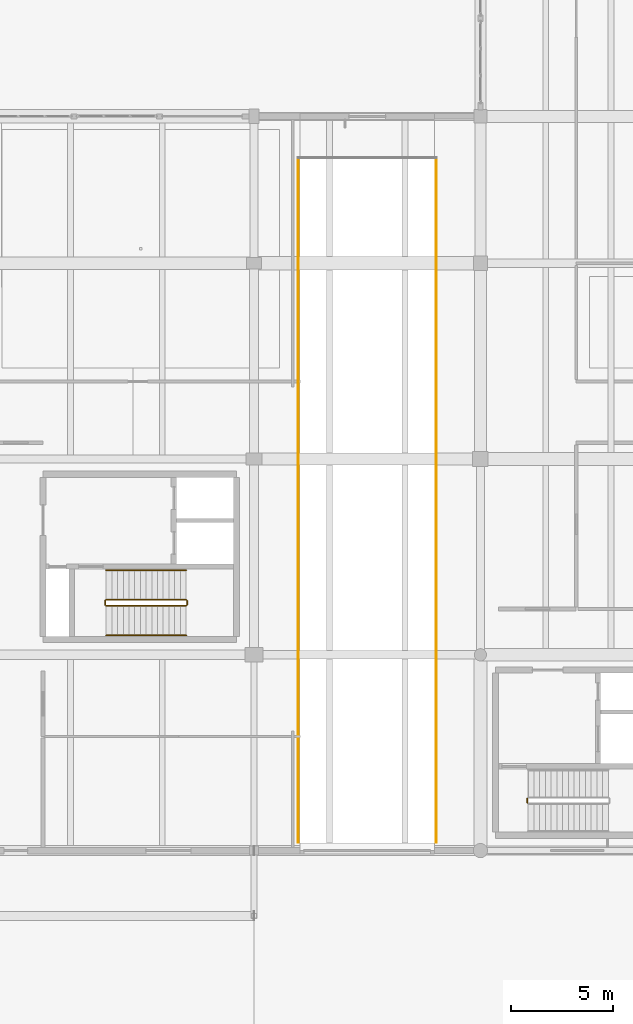
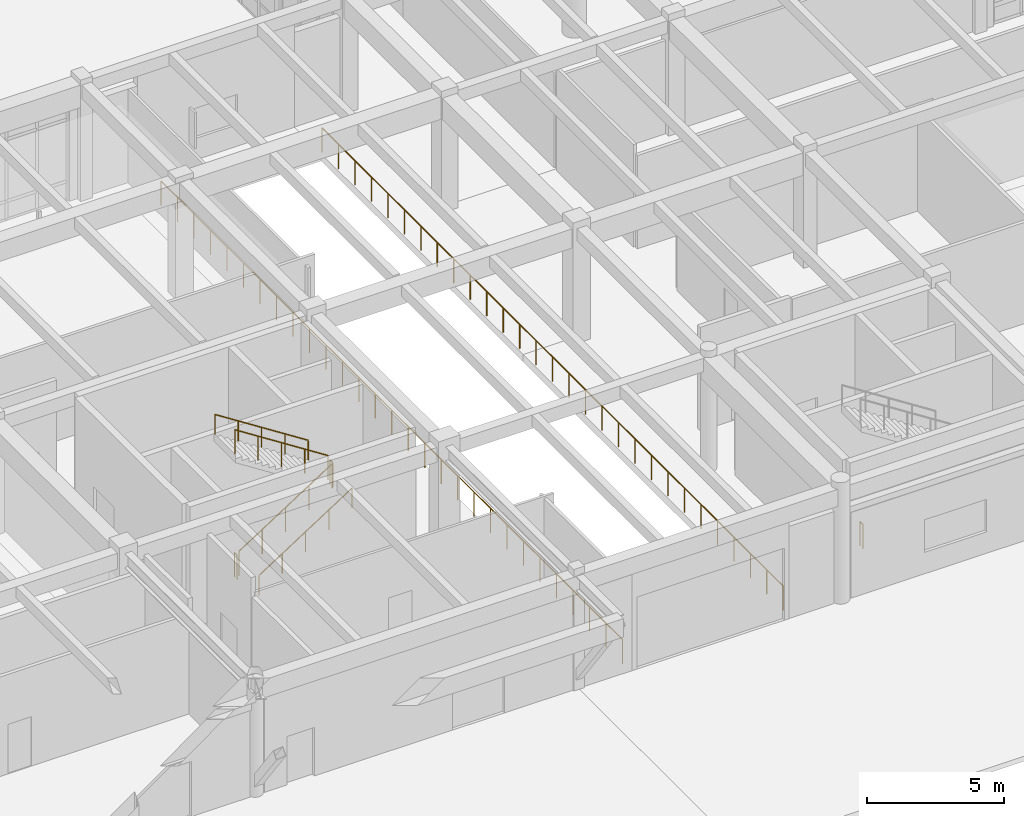
# One storey, part 128 of 138: 9 railings.
"""IFC4 building model written with IfcOpenShell, lengths in metres."""

from ifc_helpers import new_model, si_unit, direction, frame, origin, origin_2d, place, context, subcontext, project, spatial, circle, extrude, material, type_object, element, save


model = new_model("IFC4")

# Units and contexts
model_context = context("Model", 3, precision=1e-05, world=origin(), true_north=direction((0.0, 1.0)))
body_context = subcontext(model_context, "Body", "Model", "MODEL_VIEW")
ifc_project = project(units=[si_unit("LENGTHUNIT", "METRE"), si_unit("AREAUNIT", "SQUARE_METRE"), si_unit("VOLUMEUNIT", "CUBIC_METRE"), si_unit("PLANEANGLEUNIT", "RADIAN"), si_unit("MASSUNIT", "GRAM", prefix="KILO")], contexts=[model_context])

# Site, building, storey
site_placement = place(None, origin())
site = spatial("IfcSite", under=ifc_project, at=site_placement, CompositionType="ELEMENT")
building_placement = place(site_placement, origin())
building = spatial("IfcBuilding", under=site, at=building_placement, Name="Fikremerkos Civic Library", CompositionType="ELEMENT")
storey_placement = place(building_placement, origin())
storey = spatial("IfcBuildingStorey", under=building, at=storey_placement, Name="L00", CompositionType="ELEMENT", Elevation=0.0)

# Railings
ifc_material_1 = material(Name="Painted Steel S275", Category="steel")
railing_type_1 = type_object("IfcRailingType", Name="Interior balustrade guard RLG-INT 1100", PredefinedType="BALUSTRADE", material=ifc_material_1)
railing_1_placement = place(storey_placement, frame((106.449951171875, 24.0, 0.179931640625)))
element("IfcRailing", 1, at=railing_1_placement, inside=storey, type_object=railing_type_1, Name="L00 ST-K2 stair guard 1", PredefinedType="BALUSTRADE", context=body_context, shape_type="SweptSolid", body=[
    extrude(circle(Radius=0.02392578125, at=origin_2d()), frame((0.0, 0.0, 1.076171875), z_axis=(0.841186985886, 0.0, 0.540744352514), x_axis=(0.0, 1.0, 0.0)), (0.0, 0.0, 1.0), 4.660400390625),
    extrude(circle(Radius=0.02099609375, at=origin_2d()), origin(), (0.0, 0.0, 1.0), 1.052001953125),
    extrude(circle(Radius=0.02099609375, at=origin_2d()), frame((0.97998046875, 0.0, 0.6298828125)), (0.0, 0.0, 1.0), 1.052001953125),
    extrude(circle(Radius=0.02099609375, at=origin_2d()), frame((1.9599609375, 0.0, 1.260009765625)), (0.0, 0.0, 1.0), 1.052001953125),
    extrude(circle(Radius=0.02099609375, at=origin_2d()), frame((2.940185546875, 0.0, 1.89013671875)), (0.0, 0.0, 1.0), 1.052001953125),
    extrude(circle(Radius=0.02099609375, at=origin_2d()), frame((3.920166015625, 0.0, 2.52001953125)), (0.0, 0.0, 1.0), 1.052001953125),
])
railing_2_placement = place(storey_placement, frame((110.419921875, 24.050048828125, 2.699951171875)))
element("IfcRailing", 2, at=railing_2_placement, inside=storey, type_object=railing_type_1, Name="L00 ST-K2 stair guard 2", PredefinedType="BALUSTRADE", context=body_context, shape_type="SweptSolid", body=[
    extrude(circle(Radius=0.02392578125, at=origin_2d()), frame((0.0, 0.0, 1.076171875), z_axis=(0.0, 1.0, 0.0), x_axis=(-1.0, 0.0, 0.0)), (0.0, 0.0, 1.0), 0.199951171875),
    extrude(circle(Radius=0.02099609375, at=origin_2d()), origin(), (0.0, 0.0, 1.0), 1.052001953125),
    extrude(circle(Radius=0.02099609375, at=origin_2d()), frame((0.0, 0.199951171875, 0.0)), (0.0, 0.0, 1.0), 1.052001953125),
])
railing_3_placement = place(storey_placement, frame((110.3701171875, 24.300048828125, 2.8798828125)))
element("IfcRailing", 3, at=railing_3_placement, inside=storey, type_object=railing_type_1, Name="L00 ST-K2 stair guard 3", PredefinedType="BALUSTRADE", context=body_context, shape_type="SweptSolid", body=[
    extrude(circle(Radius=0.02392578125, at=origin_2d()), frame((0.0, 0.0, 1.076171875), z_axis=(-0.841186985886, 0.0, 0.540744352514), x_axis=(0.0, -1.0, 0.0)), (0.0, 0.0, 1.0), 4.660400390625),
    extrude(circle(Radius=0.02099609375, at=origin_2d()), origin(), (0.0, 0.0, 1.0), 1.052001953125),
    extrude(circle(Radius=0.02099609375, at=origin_2d()), frame((-0.97998046875, 0.0, 0.6298828125)), (0.0, 0.0, 1.0), 1.052001953125),
    extrude(circle(Radius=0.02099609375, at=origin_2d()), frame((-1.9599609375, 0.0, 1.260009765625)), (0.0, 0.0, 1.0), 1.052001953125),
    extrude(circle(Radius=0.02099609375, at=origin_2d()), frame((-2.940185546875, 0.0, 1.89013671875)), (0.0, 0.0, 1.0), 1.052001953125),
    extrude(circle(Radius=0.02099609375, at=origin_2d()), frame((-3.920166015625, 0.0, 2.52001953125)), (0.0, 0.0, 1.0), 1.052001953125),
])
for number, where, name in (
    (4, (106.39990234375, 24.050048828125, 0.0), "L00 ST-K2 stair guard 4"),
    (5, (127.10009765625, 14.35009765625, 0.0), "L00 ST-K4 stair guard 4"),
):
    element("IfcRailing", number, at=place(storey_placement, frame(where)), inside=storey, type_object=railing_type_1, Name=name, PredefinedType="BALUSTRADE", context=body_context, shape_type="SweptSolid", body=[
        extrude(circle(Radius=0.02392578125, at=origin_2d()), frame((0.0, 0.0, 1.076171875), z_axis=(0.0, 1.0, 0.0), x_axis=(-1.0, 0.0, 0.0)), (0.0, 0.0, 1.0), 0.199951171875),
        extrude(circle(Radius=0.02099609375, at=origin_2d()), origin(), (0.0, 0.0, 1.0), 1.052001953125),
        extrude(circle(Radius=0.02099609375, at=origin_2d()), frame((0.0, 0.199951171875, 0.0)), (0.0, 0.0, 1.0), 1.052001953125),
    ])
railing_4_placement = place(storey_placement, frame((115.8701171875, 12.39990234375, 0.0)))
element("IfcRailing", 6, at=railing_4_placement, inside=storey, type_object=railing_type_1, Name="Vehicle ramp well guard L00 W", PredefinedType="BALUSTRADE", context=body_context, shape_type="SweptSolid", body=[
    extrude(circle(Radius=0.02392578125, at=origin_2d()), frame((0.0, 0.0, 1.076171875), z_axis=(0.0, 1.0, 0.0), x_axis=(-1.0, 0.0, 0.0)), (0.0, 0.0, 1.0), 33.580078125),
    extrude(circle(Radius=0.02099609375, at=origin_2d()), origin(), (0.0, 0.0, 1.0), 1.052001953125),
    extrude(circle(Radius=0.02099609375, at=origin_2d()), frame((0.0, 1.19921875, 0.0)), (0.0, 0.0, 1.0), 1.052001953125),
    extrude(circle(Radius=0.02099609375, at=origin_2d()), frame((0.0, 2.398681640625, 0.0)), (0.0, 0.0, 1.0), 1.052001953125),
    extrude(circle(Radius=0.02099609375, at=origin_2d()), frame((0.0, 3.597900390625, 0.0)), (0.0, 0.0, 1.0), 1.052001953125),
    extrude(circle(Radius=0.02099609375, at=origin_2d()), frame((0.0, 4.797119140625, 0.0)), (0.0, 0.0, 1.0), 1.052001953125),
    extrude(circle(Radius=0.02099609375, at=origin_2d()), frame((0.0, 5.996337890625, 0.0)), (0.0, 0.0, 1.0), 1.052001953125),
    extrude(circle(Radius=0.02099609375, at=origin_2d()), frame((0.0, 7.19580078125, 0.0)), (0.0, 0.0, 1.0), 1.052001953125),
    extrude(circle(Radius=0.02099609375, at=origin_2d()), frame((0.0, 8.39501953125, 0.0)), (0.0, 0.0, 1.0), 1.052001953125),
    extrude(circle(Radius=0.02099609375, at=origin_2d()), frame((0.0, 9.59423828125, 0.0)), (0.0, 0.0, 1.0), 1.052001953125),
    extrude(circle(Radius=0.02099609375, at=origin_2d()), frame((0.0, 10.793701171875, 0.0)), (0.0, 0.0, 1.0), 1.052001953125),
    extrude(circle(Radius=0.02099609375, at=origin_2d()), frame((0.0, 11.992919921875, 0.0)), (0.0, 0.0, 1.0), 1.052001953125),
    extrude(circle(Radius=0.02099609375, at=origin_2d()), frame((0.0, 13.192138671875, 0.0)), (0.0, 0.0, 1.0), 1.052001953125),
    extrude(circle(Radius=0.02099609375, at=origin_2d()), frame((0.0, 14.391357421875, 0.0)), (0.0, 0.0, 1.0), 1.052001953125),
    extrude(circle(Radius=0.02099609375, at=origin_2d()), frame((0.0, 15.5908203125, 0.0)), (0.0, 0.0, 1.0), 1.052001953125),
    extrude(circle(Radius=0.02099609375, at=origin_2d()), frame((0.0, 16.7900390625, 0.0)), (0.0, 0.0, 1.0), 1.052001953125),
    extrude(circle(Radius=0.02099609375, at=origin_2d()), frame((0.0, 17.9892578125, 0.0)), (0.0, 0.0, 1.0), 1.052001953125),
    extrude(circle(Radius=0.02099609375, at=origin_2d()), frame((0.0, 19.188720703125, 0.0)), (0.0, 0.0, 1.0), 1.052001953125),
    extrude(circle(Radius=0.02099609375, at=origin_2d()), frame((0.0, 20.387939453125, 0.0)), (0.0, 0.0, 1.0), 1.052001953125),
    extrude(circle(Radius=0.02099609375, at=origin_2d()), frame((0.0, 21.587158203125, 0.0)), (0.0, 0.0, 1.0), 1.052001953125),
    extrude(circle(Radius=0.02099609375, at=origin_2d()), frame((0.0, 22.786376953125, 0.0)), (0.0, 0.0, 1.0), 1.052001953125),
    extrude(circle(Radius=0.02099609375, at=origin_2d()), frame((0.0, 23.98583984375, 0.0)), (0.0, 0.0, 1.0), 1.052001953125),
    extrude(circle(Radius=0.02099609375, at=origin_2d()), frame((0.0, 25.18505859375, 0.0)), (0.0, 0.0, 1.0), 1.052001953125),
    extrude(circle(Radius=0.02099609375, at=origin_2d()), frame((0.0, 26.38427734375, 0.0)), (0.0, 0.0, 1.0), 1.052001953125),
    extrude(circle(Radius=0.02099609375, at=origin_2d()), frame((0.0, 27.583740234375, 0.0)), (0.0, 0.0, 1.0), 1.052001953125),
    extrude(circle(Radius=0.02099609375, at=origin_2d()), frame((0.0, 28.782958984375, 0.0)), (0.0, 0.0, 1.0), 1.052001953125),
    extrude(circle(Radius=0.02099609375, at=origin_2d()), frame((0.0, 29.982177734375, 0.0)), (0.0, 0.0, 1.0), 1.052001953125),
    extrude(circle(Radius=0.02099609375, at=origin_2d()), frame((0.0, 31.181396484375, 0.0)), (0.0, 0.0, 1.0), 1.052001953125),
    extrude(circle(Radius=0.02099609375, at=origin_2d()), frame((0.0, 32.380859375, 0.0)), (0.0, 0.0, 1.0), 1.052001953125),
    extrude(circle(Radius=0.02099609375, at=origin_2d()), frame((0.0, 33.580078125, 0.0)), (0.0, 0.0, 1.0), 1.052001953125),
])
railing_5_placement = place(storey_placement, frame((122.6298828125, 12.39990234375, 0.0)))
element("IfcRailing", 7, at=railing_5_placement, inside=storey, type_object=railing_type_1, Name="Vehicle ramp well guard L00 E", PredefinedType="BALUSTRADE", context=body_context, shape_type="SweptSolid", body=[
    extrude(circle(Radius=0.02392578125, at=origin_2d()), frame((0.0, 0.0, 1.076171875), z_axis=(0.0, 1.0, 0.0), x_axis=(-1.0, 0.0, 0.0)), (0.0, 0.0, 1.0), 33.580078125),
    extrude(circle(Radius=0.02099609375, at=origin_2d()), origin(), (0.0, 0.0, 1.0), 1.052001953125),
    extrude(circle(Radius=0.02099609375, at=origin_2d()), frame((0.0, 1.19921875, 0.0)), (0.0, 0.0, 1.0), 1.052001953125),
    extrude(circle(Radius=0.02099609375, at=origin_2d()), frame((0.0, 2.398681640625, 0.0)), (0.0, 0.0, 1.0), 1.052001953125),
    extrude(circle(Radius=0.02099609375, at=origin_2d()), frame((0.0, 3.597900390625, 0.0)), (0.0, 0.0, 1.0), 1.052001953125),
    extrude(circle(Radius=0.02099609375, at=origin_2d()), frame((0.0, 4.797119140625, 0.0)), (0.0, 0.0, 1.0), 1.052001953125),
    extrude(circle(Radius=0.02099609375, at=origin_2d()), frame((0.0, 5.996337890625, 0.0)), (0.0, 0.0, 1.0), 1.052001953125),
    extrude(circle(Radius=0.02099609375, at=origin_2d()), frame((0.0, 7.19580078125, 0.0)), (0.0, 0.0, 1.0), 1.052001953125),
    extrude(circle(Radius=0.02099609375, at=origin_2d()), frame((0.0, 8.39501953125, 0.0)), (0.0, 0.0, 1.0), 1.052001953125),
    extrude(circle(Radius=0.02099609375, at=origin_2d()), frame((0.0, 9.59423828125, 0.0)), (0.0, 0.0, 1.0), 1.052001953125),
    extrude(circle(Radius=0.02099609375, at=origin_2d()), frame((0.0, 10.793701171875, 0.0)), (0.0, 0.0, 1.0), 1.052001953125),
    extrude(circle(Radius=0.02099609375, at=origin_2d()), frame((0.0, 11.992919921875, 0.0)), (0.0, 0.0, 1.0), 1.052001953125),
    extrude(circle(Radius=0.02099609375, at=origin_2d()), frame((0.0, 13.192138671875, 0.0)), (0.0, 0.0, 1.0), 1.052001953125),
    extrude(circle(Radius=0.02099609375, at=origin_2d()), frame((0.0, 14.391357421875, 0.0)), (0.0, 0.0, 1.0), 1.052001953125),
    extrude(circle(Radius=0.02099609375, at=origin_2d()), frame((0.0, 15.5908203125, 0.0)), (0.0, 0.0, 1.0), 1.052001953125),
    extrude(circle(Radius=0.02099609375, at=origin_2d()), frame((0.0, 16.7900390625, 0.0)), (0.0, 0.0, 1.0), 1.052001953125),
    extrude(circle(Radius=0.02099609375, at=origin_2d()), frame((0.0, 17.9892578125, 0.0)), (0.0, 0.0, 1.0), 1.052001953125),
    extrude(circle(Radius=0.02099609375, at=origin_2d()), frame((0.0, 19.188720703125, 0.0)), (0.0, 0.0, 1.0), 1.052001953125),
    extrude(circle(Radius=0.02099609375, at=origin_2d()), frame((0.0, 20.387939453125, 0.0)), (0.0, 0.0, 1.0), 1.052001953125),
    extrude(circle(Radius=0.02099609375, at=origin_2d()), frame((0.0, 21.587158203125, 0.0)), (0.0, 0.0, 1.0), 1.052001953125),
    extrude(circle(Radius=0.02099609375, at=origin_2d()), frame((0.0, 22.786376953125, 0.0)), (0.0, 0.0, 1.0), 1.052001953125),
    extrude(circle(Radius=0.02099609375, at=origin_2d()), frame((0.0, 23.98583984375, 0.0)), (0.0, 0.0, 1.0), 1.052001953125),
    extrude(circle(Radius=0.02099609375, at=origin_2d()), frame((0.0, 25.18505859375, 0.0)), (0.0, 0.0, 1.0), 1.052001953125),
    extrude(circle(Radius=0.02099609375, at=origin_2d()), frame((0.0, 26.38427734375, 0.0)), (0.0, 0.0, 1.0), 1.052001953125),
    extrude(circle(Radius=0.02099609375, at=origin_2d()), frame((0.0, 27.583740234375, 0.0)), (0.0, 0.0, 1.0), 1.052001953125),
    extrude(circle(Radius=0.02099609375, at=origin_2d()), frame((0.0, 28.782958984375, 0.0)), (0.0, 0.0, 1.0), 1.052001953125),
    extrude(circle(Radius=0.02099609375, at=origin_2d()), frame((0.0, 29.982177734375, 0.0)), (0.0, 0.0, 1.0), 1.052001953125),
    extrude(circle(Radius=0.02099609375, at=origin_2d()), frame((0.0, 31.181396484375, 0.0)), (0.0, 0.0, 1.0), 1.052001953125),
    extrude(circle(Radius=0.02099609375, at=origin_2d()), frame((0.0, 32.380859375, 0.0)), (0.0, 0.0, 1.0), 1.052001953125),
    extrude(circle(Radius=0.02099609375, at=origin_2d()), frame((0.0, 33.580078125, 0.0)), (0.0, 0.0, 1.0), 1.052001953125),
])
ifc_material_2 = material(Name="Brushed stainless steel", Category="steel")
railing_type_2 = type_object("IfcRailingType", Name="Wall and flight handrail HRL-01 900", PredefinedType="HANDRAIL", material=ifc_material_2)
railing_6_placement = place(storey_placement, frame((106.449951171875, 22.550048828125, 0.179931640625)))
element("IfcRailing", 8, at=railing_6_placement, inside=storey, type_object=railing_type_2, Name="L00 ST-K2 stair handrail 1", PredefinedType="HANDRAIL", context=body_context, shape_type="SweptSolid", body=[
    extrude(circle(Radius=0.02392578125, at=origin_2d()), frame((0.0, 0.0, 0.8759765625), z_axis=(0.841186985886, 0.0, 0.540744352514), x_axis=(0.0, 1.0, 0.0)), (0.0, 0.0, 1.0), 4.660400390625),
    extrude(circle(Radius=0.02099609375, at=origin_2d()), origin(), (0.0, 0.0, 1.0), 0.851806640625),
    extrude(circle(Radius=0.02099609375, at=origin_2d()), frame((0.97998046875, 0.0, 0.6298828125)), (0.0, 0.0, 1.0), 0.851806640625),
    extrude(circle(Radius=0.02099609375, at=origin_2d()), frame((1.9599609375, 0.0, 1.260009765625)), (0.0, 0.0, 1.0), 0.851806640625),
    extrude(circle(Radius=0.02099609375, at=origin_2d()), frame((2.940185546875, 0.0, 1.89013671875)), (0.0, 0.0, 1.0), 0.851806640625),
    extrude(circle(Radius=0.02099609375, at=origin_2d()), frame((3.920166015625, 0.0, 2.52001953125)), (0.0, 0.0, 1.0), 0.851806640625),
])
railing_7_placement = place(storey_placement, frame((110.3701171875, 25.75, 2.8798828125)))
element("IfcRailing", 9, at=railing_7_placement, inside=storey, type_object=railing_type_2, Name="L00 ST-K2 stair handrail 2", PredefinedType="HANDRAIL", context=body_context, shape_type="SweptSolid", body=[
    extrude(circle(Radius=0.02392578125, at=origin_2d()), frame((0.0, 0.0, 0.8759765625), z_axis=(-0.841186985886, 0.0, 0.540744352514), x_axis=(0.0, -1.0, 0.0)), (0.0, 0.0, 1.0), 4.660400390625),
    extrude(circle(Radius=0.02099609375, at=origin_2d()), origin(), (0.0, 0.0, 1.0), 0.851806640625),
    extrude(circle(Radius=0.02099609375, at=origin_2d()), frame((-0.97998046875, 0.0, 0.6298828125)), (0.0, 0.0, 1.0), 0.851806640625),
    extrude(circle(Radius=0.02099609375, at=origin_2d()), frame((-1.9599609375, 0.0, 1.260009765625)), (0.0, 0.0, 1.0), 0.851806640625),
    extrude(circle(Radius=0.02099609375, at=origin_2d()), frame((-2.940185546875, 0.0, 1.89013671875)), (0.0, 0.0, 1.0), 0.851806640625),
    extrude(circle(Radius=0.02099609375, at=origin_2d()), frame((-3.920166015625, 0.0, 2.52001953125)), (0.0, 0.0, 1.0), 0.851806640625),
])

save(model, "model.ifc")
